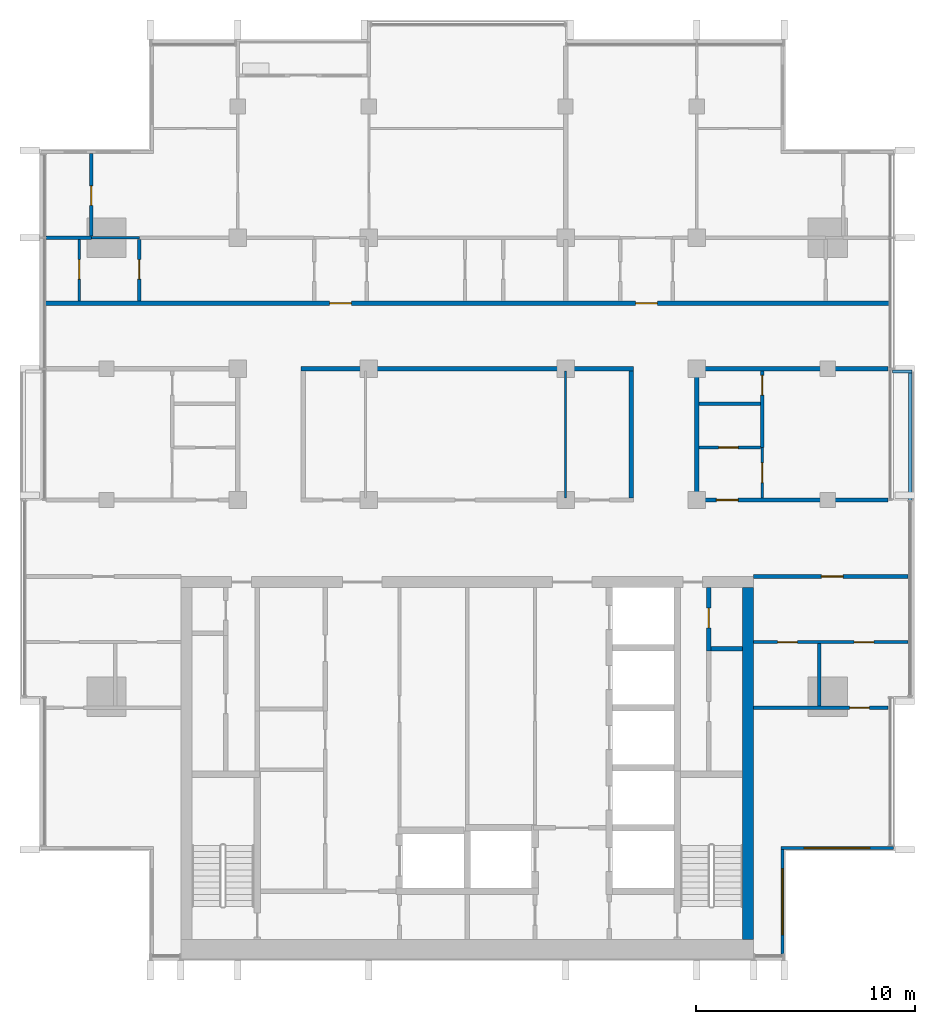
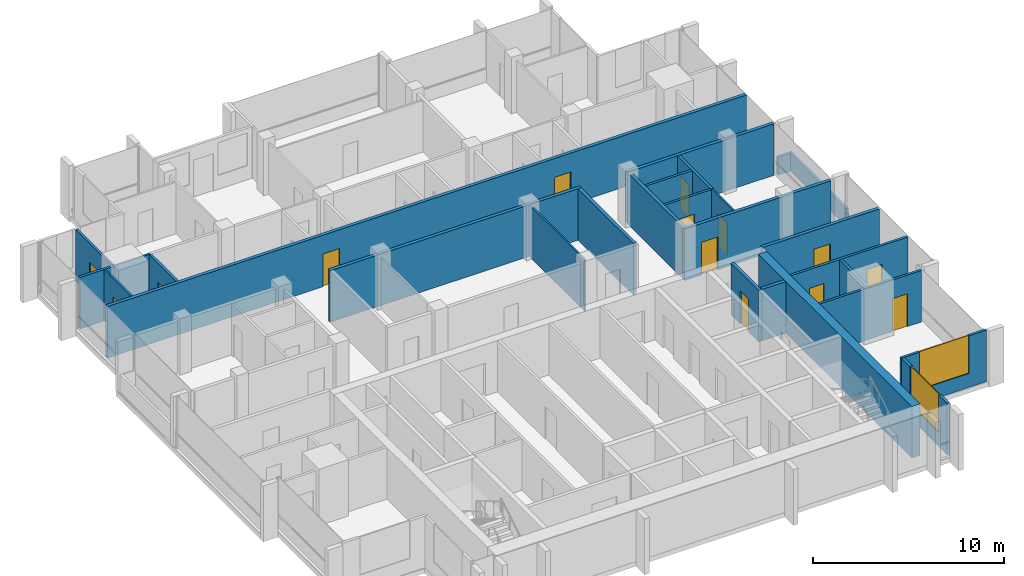
# One storey, part 9 of 16: 27 walls, 14 doors, 2 windows, 16 openings.
"""IFC4 building model written with IfcOpenShell, lengths in metres."""

from ifc_helpers import new_model, si_unit, direction, frame, frame_2d, origin, place, context, subcontext, project, spatial, rectangle, extrude, material, layer, layer_set, type_object, element, fill, save


model = new_model("IFC4")

# Units and contexts
model_context = context("Model", 3, precision=1e-05, world=origin(), true_north=direction((0.0, 1.0)))
body_context = subcontext(model_context, "Body", "Model", "MODEL_VIEW")
ifc_project = project(units=[si_unit("LENGTHUNIT", "METRE"), si_unit("AREAUNIT", "SQUARE_METRE"), si_unit("VOLUMEUNIT", "CUBIC_METRE"), si_unit("PLANEANGLEUNIT", "RADIAN"), si_unit("MASSUNIT", "GRAM", prefix="KILO")], contexts=[model_context])

# Site, building, storey
site_placement = place(None, origin())
site = spatial("IfcSite", under=ifc_project, at=site_placement, CompositionType="ELEMENT")
building_placement = place(site_placement, origin())
building = spatial("IfcBuilding", under=site, at=building_placement, Name="Finial Court Residences", CompositionType="ELEMENT")
storey_placement = place(building_placement, frame((0.0, 0.0, 277.10009765625)))
storey = spatial("IfcBuildingStorey", under=building, at=storey_placement, Name="L70", CompositionType="ELEMENT", Elevation=277.10009765625)

# Wall
ifc_material_1 = material(Name="Concrete C50/60", Category="concrete")
ifc_layer_1 = layer(ifc_material_1, 0.5)
ifc_layer_set_1 = layer_set([ifc_layer_1], Name="Core outer wall 500 Concrete C50/60")
wall_type_1 = type_object("IfcWallType", Name="Core outer wall 500 Concrete C50/60", PredefinedType="SHEAR", material=ifc_layer_set_1)
wall_1_placement = place(storey_placement, frame((12.85009765625, -24.60009765625, 0.0), z_axis=(0.0, 0.0, 1.0), x_axis=(0.0, 1.0, 0.0)))
element("IfcWall", 1, at=wall_1_placement, inside=storey, type_object=wall_type_1, Name="Core outer wall L70-04", PredefinedType="SHEAR", context=body_context, shape_type="SweptSolid", body=[
    extrude(rectangle(XDim=16.10009765625, YDim=0.5, at=frame_2d((8.050048828125, 0.0))), origin(), (0.0, 0.0, 1.0), 3.2998046875),
])

# Wall, opening, door
ifc_material_2 = material(Name="Gypsum board")
ifc_layer_2 = layer(ifc_material_2, 0.02490234375)
ifc_material_3 = material(Name="Acoustic mineral wool in double frame")
ifc_layer_3 = layer(ifc_material_3, 0.14990234375)
ifc_layer_4 = layer(ifc_material_2, 0.02490234375)
ifc_layer_set_2 = layer_set([ifc_layer_2, ifc_layer_3, ifc_layer_4], Name="Corridor wall 200, 1 hour")
wall_type_2 = type_object("IfcWallType", Name="Corridor wall 200, 1 hour", PredefinedType="PARTITIONING", material=ifc_layer_set_2)
wall_2_placement = place(storey_placement, frame((13.10009765625, -8.0, 0.0), z_axis=(0.0, 0.0, 1.0), x_axis=(1.0, 0.0, 0.0)))
wall_2 = element("IfcWall", 2, at=wall_2_placement, inside=storey, type_object=wall_type_2, Name="Partition L70-005", PredefinedType="PARTITIONING", context=body_context, shape_type="SweptSolid", body=[
    extrude(rectangle(XDim=7.0625, YDim=0.199951171875, at=frame_2d((3.53125, 0.0))), origin(), (0.0, 0.0, 1.0), 3.2998046875),
])
opening_1_placement = place(wall_2_placement, frame((3.10009765625, 0.0, 0.0)))
opening_1 = element("IfcOpeningElement", 3, at=opening_1_placement, cuts=wall_2, Name="Opening L70-D008", PredefinedType="OPENING", context=body_context, shape_type="SweptSolid", body=[
    extrude(rectangle(XDim=1.0, YDim=2.10009765625, at=frame_2d((0.5, 1.050048828125))), frame((0.0, 0.10986328125, 0.0), z_axis=(0.0, -1.0, 0.0), x_axis=(1.0, 0.0, 0.0)), (0.0, 0.0, 1.0), 0.219970703125),
])
ifc_material_4 = material(Name="Timber door leaf in hollow metal frame", Category="wood")
door_type_1 = type_object("IfcDoorType", Name="Fire door set 1000 x 2100, 30 minutes", OperationType="SINGLE_SWING_LEFT", PredefinedType="DOOR", material=ifc_material_4)
door_1_placement = place(opening_1_placement, origin())
door_1 = element("IfcDoor", 4, at=door_1_placement, inside=storey, type_object=door_type_1, Name="Door L70-D008", OperationType="SINGLE_SWING_RIGHT", OverallHeight=2.10009765625, OverallWidth=1.0, PredefinedType="DOOR", context=body_context, shape_type="SweptSolid", body=[
    extrude(rectangle(XDim=1.0, YDim=2.10009765625, at=frame_2d((0.5, 1.050048828125))), frame((0.0, 0.02490234375, 0.0), z_axis=(0.0, -1.0, 0.0), x_axis=(1.0, 0.0, 0.0)), (0.0, 0.0, 1.0), 0.050048828125),
])
fill(opening_1, door_1)

wall_3_placement = place(storey_placement, frame((10.39990234375, -4.5, 0.0), z_axis=(0.0, 0.0, 1.0), x_axis=(1.0, 0.0, 0.0)))
wall_3 = element("IfcWall", 5, at=wall_3_placement, inside=storey, type_object=wall_type_2, Name="Partition L70-008", PredefinedType="PARTITIONING", context=body_context, shape_type="SweptSolid", body=[
    extrude(rectangle(XDim=8.862548828125, YDim=0.199951171875, at=frame_2d((4.43115234375, 0.0))), origin(), (0.0, 0.0, 1.0), 3.2998046875),
])
opening_2_placement = place(wall_3_placement, frame((1.0, 0.0, 0.0)))
opening_2 = element("IfcOpeningElement", 6, at=opening_2_placement, cuts=wall_3, Name="Opening L70-D013", PredefinedType="OPENING", context=body_context, shape_type="SweptSolid", body=[
    extrude(rectangle(XDim=1.0, YDim=2.10009765625, at=frame_2d((0.5, 1.050048828125))), frame((0.0, 0.10986328125, 0.0), z_axis=(0.0, -1.0, 0.0), x_axis=(1.0, 0.0, 0.0)), (0.0, 0.0, 1.0), 0.219970703125),
])
door_2_placement = place(opening_2_placement, origin())
door_2 = element("IfcDoor", 7, at=door_2_placement, inside=storey, type_object=door_type_1, Name="Door L70-D013", OperationType="SINGLE_SWING_RIGHT", OverallHeight=2.10009765625, OverallWidth=1.0, PredefinedType="DOOR", context=body_context, shape_type="SweptSolid", body=[
    extrude(rectangle(XDim=1.0, YDim=2.10009765625, at=frame_2d((0.5, 1.050048828125))), frame((0.0, 0.02490234375, 0.0), z_axis=(0.0, -1.0, 0.0), x_axis=(1.0, 0.0, 0.0)), (0.0, 0.0, 1.0), 0.050048828125),
])
fill(opening_2, door_2)

# Walls
wall_4_placement = place(storey_placement, frame((-7.60009765625, 1.5, 0.0), z_axis=(0.0, 0.0, 1.0), x_axis=(1.0, 0.0, 0.0)))
element("IfcWall", 8, at=wall_4_placement, inside=storey, type_object=wall_type_2, Name="Partition L70-014", PredefinedType="PARTITIONING", context=body_context, shape_type="SweptSolid", body=[
    extrude(rectangle(XDim=15.2001953125, YDim=0.199951171875, at=frame_2d((7.60009765625, 0.0))), origin(), (0.0, 0.0, 1.0), 3.2998046875),
])
wall_5_placement = place(storey_placement, frame((10.39990234375, 1.5, 0.0), z_axis=(0.0, 0.0, 1.0), x_axis=(1.0, 0.0, 0.0)))
element("IfcWall", 9, at=wall_5_placement, inside=storey, type_object=wall_type_2, Name="Partition L70-015", PredefinedType="PARTITIONING", context=body_context, shape_type="SweptSolid", body=[
    extrude(rectangle(XDim=8.862548828125, YDim=0.199951171875, at=frame_2d((4.43115234375, 0.0))), origin(), (0.0, 0.0, 1.0), 3.2998046875),
])

# Wall, openings, doors
wall_6_placement = place(storey_placement, frame((-19.35009765625, 4.5, 0.0), z_axis=(0.0, 0.0, 1.0), x_axis=(1.0, 0.0, 0.0)))
wall_6 = element("IfcWall", 10, at=wall_6_placement, inside=storey, type_object=wall_type_2, Name="Partition L70-016", PredefinedType="PARTITIONING", context=body_context, shape_type="SweptSolid", body=[
    extrude(rectangle(XDim=38.7001953125, YDim=0.199951171875, at=frame_2d((19.35009765625, 0.0))), origin(), (0.0, 0.0, 1.0), 3.2998046875),
])
opening_3_placement = place(wall_6_placement, frame((13.050048828125, 0.0, 0.0)))
opening_3 = element("IfcOpeningElement", 11, at=opening_3_placement, cuts=wall_6, Name="Opening L70-D016", PredefinedType="OPENING", context=body_context, shape_type="SweptSolid", body=[
    extrude(rectangle(XDim=1.0, YDim=2.10009765625, at=frame_2d((0.5, 1.050048828125))), frame((0.0, 0.10986328125, 0.0), z_axis=(0.0, -1.0, 0.0), x_axis=(1.0, 0.0, 0.0)), (0.0, 0.0, 1.0), 0.219970703125),
])
opening_4_placement = place(wall_6_placement, frame((27.050048828125, 0.0, 0.0)))
opening_4 = element("IfcOpeningElement", 12, at=opening_4_placement, cuts=wall_6, Name="Opening L70-D017", PredefinedType="OPENING", context=body_context, shape_type="SweptSolid", body=[
    extrude(rectangle(XDim=1.0, YDim=2.10009765625, at=frame_2d((0.5, 1.050048828125))), frame((0.0, 0.10986328125, 0.0), z_axis=(0.0, -1.0, 0.0), x_axis=(1.0, 0.0, 0.0)), (0.0, 0.0, 1.0), 0.219970703125),
])
door_3_placement = place(opening_3_placement, origin())
door_3 = element("IfcDoor", 13, at=door_3_placement, inside=storey, type_object=door_type_1, Name="Door L70-D016", OperationType="SINGLE_SWING_RIGHT", OverallHeight=2.10009765625, OverallWidth=1.0, PredefinedType="DOOR", context=body_context, shape_type="SweptSolid", body=[
    extrude(rectangle(XDim=1.0, YDim=2.10009765625, at=frame_2d((0.5, 1.050048828125))), frame((0.0, 0.02490234375, 0.0), z_axis=(0.0, -1.0, 0.0), x_axis=(1.0, 0.0, 0.0)), (0.0, 0.0, 1.0), 0.050048828125),
])
fill(opening_3, door_3)
door_4_placement = place(opening_4_placement, origin())
door_4 = element("IfcDoor", 14, at=door_4_placement, inside=storey, type_object=door_type_1, Name="Door L70-D017", OperationType="SINGLE_SWING_LEFT", OverallHeight=2.10009765625, OverallWidth=1.0, PredefinedType="DOOR", context=body_context, shape_type="SweptSolid", body=[
    extrude(rectangle(XDim=1.0, YDim=2.10009765625, at=frame_2d((0.5, 1.050048828125))), frame((0.0, 0.02490234375, 0.0), z_axis=(0.0, -1.0, 0.0), x_axis=(1.0, 0.0, 0.0)), (0.0, 0.0, 1.0), 0.050048828125),
])
fill(opening_4, door_4)

# Walls
for number, where, z_axis, x_axis, name in (
    (15, (7.5, -4.39990234375, 0.0), (0.0, 0.0, 1.0), (0.0, 1.0, 0.0), "Partition L70-048"),
    (16, (10.5, -4.39990234375, 0.0), (0.0, 0.0, 1.0), (0.0, 1.0, 0.0), "Partition L70-050"),
):
    element("IfcWall", number, at=place(storey_placement, frame(where, z_axis=z_axis, x_axis=x_axis)), inside=storey, type_object=wall_type_2, Name=name, PredefinedType="PARTITIONING", context=body_context, shape_type="SweptSolid", body=[
        extrude(rectangle(XDim=5.7998046875, YDim=0.199951171875, at=frame_2d((2.89990234375, 0.0))), origin(), (0.0, 0.0, 1.0), 3.2998046875),
    ])
ifc_layer_5 = layer(ifc_material_2, 0.012451171875)
ifc_material_5 = material(Name="Mineral wool in light-gauge frame")
ifc_layer_6 = layer(ifc_material_5, 0.074951171875)
ifc_layer_7 = layer(ifc_material_2, 0.012451171875)
ifc_layer_set_3 = layer_set([ifc_layer_5, ifc_layer_6, ifc_layer_7], Name="Gypsum board partition 100")
wall_type_3 = type_object("IfcWallType", Name="Gypsum board partition 100", PredefinedType="PARTITIONING", material=ifc_layer_set_3)
wall_7_placement = place(storey_placement, frame((-17.199951171875, 7.5, 0.0), z_axis=(0.0, 0.0, 1.0), x_axis=(1.0, 0.0, 0.0)))
element("IfcWall", 17, at=wall_7_placement, inside=storey, type_object=wall_type_3, Name="Partition L70-017", PredefinedType="PARTITIONING", context=body_context, shape_type="SweptSolid", body=[
    extrude(rectangle(XDim=2.199951171875, YDim=0.10009765625, at=frame_2d((1.10009765625, 0.0))), origin(), (0.0, 0.0, 1.0), 3.2998046875),
])

# Wall, opening, door
wall_8_placement = place(storey_placement, frame((-17.75, 4.60009765625, 0.0), z_axis=(0.0, 0.0, 1.0), x_axis=(0.0, 1.0, 0.0)))
wall_8 = element("IfcWall", 18, at=wall_8_placement, inside=storey, type_object=wall_type_3, Name="Partition L70-029", PredefinedType="PARTITIONING", context=body_context, shape_type="SweptSolid", body=[
    extrude(rectangle(XDim=2.824951171875, YDim=0.10009765625, at=frame_2d((1.41259765625, 0.0))), origin(), (0.0, 0.0, 1.0), 3.2998046875),
])
opening_5_placement = place(wall_8_placement, frame((1.0, 0.0, 0.0)))
opening_5 = element("IfcOpeningElement", 19, at=opening_5_placement, cuts=wall_8, Name="Opening L70-D023", PredefinedType="OPENING", context=body_context, shape_type="SweptSolid", body=[
    extrude(rectangle(XDim=0.89990234375, YDim=2.10009765625, at=frame_2d((0.449951171875, 1.050048828125))), frame((0.0, 0.06005859375, 0.0), z_axis=(0.0, -1.0, 0.0), x_axis=(1.0, 0.0, 0.0)), (0.0, 0.0, 1.0), 0.1201171875),
])
ifc_material_6 = material(Name="Timber door leaf in timber frame", Category="wood")
door_type_2 = type_object("IfcDoorType", Name="Door set 900 x 2100", OperationType="SINGLE_SWING_LEFT", PredefinedType="DOOR", material=ifc_material_6)
door_5_placement = place(opening_5_placement, origin())
door_5 = element("IfcDoor", 20, at=door_5_placement, inside=storey, type_object=door_type_2, Name="Door L70-D023", OperationType="SINGLE_SWING_RIGHT", OverallHeight=2.10009765625, OverallWidth=0.89990234375, PredefinedType="DOOR", context=body_context, shape_type="SweptSolid", body=[
    extrude(rectangle(XDim=0.89990234375, YDim=2.10009765625, at=frame_2d((0.449951171875, 1.050048828125))), frame((0.0, 0.02490234375, 0.0), z_axis=(0.0, -1.0, 0.0), x_axis=(1.0, 0.0, 0.0)), (0.0, 0.0, 1.0), 0.050048828125),
])
fill(opening_5, door_5)

# Wall
wall_9_placement = place(storey_placement, frame((4.5, -4.39990234375, 0.0), z_axis=(0.0, 0.0, 1.0), x_axis=(0.0, 1.0, 0.0)))
element("IfcWall", 21, at=wall_9_placement, inside=storey, type_object=wall_type_3, Name="Partition L70-044", PredefinedType="PARTITIONING", context=body_context, shape_type="SweptSolid", body=[
    extrude(rectangle(XDim=5.7998046875, YDim=0.10009765625, at=frame_2d((2.89990234375, 0.0))), origin(), (0.0, 0.0, 1.0), 3.2998046875),
])

# Wall, opening, door
wall_10_placement = place(storey_placement, frame((13.5, -4.39990234375, 0.0), z_axis=(0.0, 0.0, 1.0), x_axis=(0.0, 1.0, 0.0)))
wall_10 = element("IfcWall", 22, at=wall_10_placement, inside=storey, type_object=wall_type_3, Name="Partition L70-052", PredefinedType="PARTITIONING", context=body_context, shape_type="SweptSolid", body=[
    extrude(rectangle(XDim=2.2998046875, YDim=0.10009765625, at=frame_2d((1.14990234375, 0.0))), origin(), (0.0, 0.0, 1.0), 3.2998046875),
])
opening_6_placement = place(wall_10_placement, frame((0.699951171875, 0.0, 0.0)))
opening_6 = element("IfcOpeningElement", 23, at=opening_6_placement, cuts=wall_10, Name="Opening L70-D037", PredefinedType="OPENING", context=body_context, shape_type="SweptSolid", body=[
    extrude(rectangle(XDim=0.89990234375, YDim=2.10009765625, at=frame_2d((0.449951171875, 1.050048828125))), frame((0.0, 0.06005859375, 0.0), z_axis=(0.0, -1.0, 0.0), x_axis=(1.0, 0.0, 0.0)), (0.0, 0.0, 1.0), 0.1201171875),
])
door_6_placement = place(opening_6_placement, origin())
door_6 = element("IfcDoor", 24, at=door_6_placement, inside=storey, type_object=door_type_2, Name="Door L70-D037", OperationType="SINGLE_SWING_LEFT", OverallHeight=2.10009765625, OverallWidth=0.89990234375, PredefinedType="DOOR", context=body_context, shape_type="SweptSolid", body=[
    extrude(rectangle(XDim=0.89990234375, YDim=2.10009765625, at=frame_2d((0.449951171875, 1.050048828125))), frame((0.0, 0.02490234375, 0.0), z_axis=(0.0, -1.0, 0.0), x_axis=(1.0, 0.0, 0.0)), (0.0, 0.0, 1.0), 0.050048828125),
])
fill(opening_6, door_6)

ifc_material_7 = material(Name="Moisture-resistant gypsum board")
ifc_layer_8 = layer(ifc_material_7, 0.012451171875)
ifc_layer_9 = layer(ifc_material_5, 0.125)
ifc_layer_10 = layer(ifc_material_7, 0.012451171875)
ifc_layer_set_4 = layer_set([ifc_layer_8, ifc_layer_9, ifc_layer_10], Name="Gypsum board wet-area partition 150")
wall_type_4 = type_object("IfcWallType", Name="Gypsum board wet-area partition 150", PredefinedType="PARTITIONING", material=ifc_layer_set_4)
wall_11_placement = place(storey_placement, frame((13.10009765625, -14.0, 0.0), z_axis=(0.0, 0.0, 1.0), x_axis=(1.0, 0.0, 0.0)))
wall_11 = element("IfcWall", 25, at=wall_11_placement, inside=storey, type_object=wall_type_4, Name="Partition L70-001", PredefinedType="PARTITIONING", context=body_context, shape_type="SweptSolid", body=[
    extrude(rectangle(XDim=6.162353515625, YDim=0.14990234375, at=frame_2d((3.0810546875, 0.0))), origin(), (0.0, 0.0, 1.0), 3.2998046875),
])
opening_7_placement = place(wall_11_placement, frame((4.39990234375, 0.0, 0.0)))
opening_7 = element("IfcOpeningElement", 26, at=opening_7_placement, cuts=wall_11, Name="Opening L70-D002", PredefinedType="OPENING", context=body_context, shape_type="SweptSolid", body=[
    extrude(rectangle(XDim=0.89990234375, YDim=2.10009765625, at=frame_2d((0.449951171875, 1.050048828125))), frame((0.0, 0.0849609375, 0.0), z_axis=(0.0, -1.0, 0.0), x_axis=(1.0, 0.0, 0.0)), (0.0, 0.0, 1.0), 0.169921875),
])
door_7_placement = place(opening_7_placement, origin())
door_7 = element("IfcDoor", 27, at=door_7_placement, inside=storey, type_object=door_type_2, Name="Door L70-D002", OperationType="SINGLE_SWING_RIGHT", OverallHeight=2.10009765625, OverallWidth=0.89990234375, PredefinedType="DOOR", context=body_context, shape_type="SweptSolid", body=[
    extrude(rectangle(XDim=0.89990234375, YDim=2.10009765625, at=frame_2d((0.449951171875, 1.050048828125))), frame((0.0, 0.02490234375, 0.0), z_axis=(0.0, -1.0, 0.0), x_axis=(1.0, 0.0, 0.0)), (0.0, 0.0, 1.0), 0.050048828125),
])
fill(opening_7, door_7)

# Wall, openings, doors
wall_12_placement = place(storey_placement, frame((13.10009765625, -11.0, 0.0), z_axis=(0.0, 0.0, 1.0), x_axis=(1.0, 0.0, 0.0)))
wall_12 = element("IfcWall", 28, at=wall_12_placement, inside=storey, type_object=wall_type_4, Name="Partition L70-003", PredefinedType="PARTITIONING", context=body_context, shape_type="SweptSolid", body=[
    extrude(rectangle(XDim=7.0625, YDim=0.14990234375, at=frame_2d((3.53125, 0.0))), origin(), (0.0, 0.0, 1.0), 3.2998046875),
])
opening_8_placement = place(wall_12_placement, frame((1.10009765625, 0.0, 0.0)))
opening_8 = element("IfcOpeningElement", 29, at=opening_8_placement, cuts=wall_12, Name="Opening L70-D005", PredefinedType="OPENING", context=body_context, shape_type="SweptSolid", body=[
    extrude(rectangle(XDim=0.89990234375, YDim=2.10009765625, at=frame_2d((0.449951171875, 1.050048828125))), frame((0.0, 0.0849609375, 0.0), z_axis=(0.0, -1.0, 0.0), x_axis=(1.0, 0.0, 0.0)), (0.0, 0.0, 1.0), 0.169921875),
])
opening_9_placement = place(wall_12_placement, frame((4.60009765625, 0.0, 0.0)))
opening_9 = element("IfcOpeningElement", 30, at=opening_9_placement, cuts=wall_12, Name="Opening L70-D006", PredefinedType="OPENING", context=body_context, shape_type="SweptSolid", body=[
    extrude(rectangle(XDim=0.89990234375, YDim=2.10009765625, at=frame_2d((0.449951171875, 1.050048828125))), frame((0.0, 0.0849609375, 0.0), z_axis=(0.0, -1.0, 0.0), x_axis=(1.0, 0.0, 0.0)), (0.0, 0.0, 1.0), 0.169921875),
])
door_8_placement = place(opening_8_placement, origin())
door_8 = element("IfcDoor", 31, at=door_8_placement, inside=storey, type_object=door_type_2, Name="Door L70-D005", OperationType="SINGLE_SWING_LEFT", OverallHeight=2.10009765625, OverallWidth=0.89990234375, PredefinedType="DOOR", context=body_context, shape_type="SweptSolid", body=[
    extrude(rectangle(XDim=0.89990234375, YDim=2.10009765625, at=frame_2d((0.449951171875, 1.050048828125))), frame((0.0, 0.02490234375, 0.0), z_axis=(0.0, -1.0, 0.0), x_axis=(1.0, 0.0, 0.0)), (0.0, 0.0, 1.0), 0.050048828125),
])
fill(opening_8, door_8)
door_9_placement = place(opening_9_placement, origin())
door_9 = element("IfcDoor", 32, at=door_9_placement, inside=storey, type_object=door_type_2, Name="Door L70-D006", OperationType="SINGLE_SWING_RIGHT", OverallHeight=2.10009765625, OverallWidth=0.89990234375, PredefinedType="DOOR", context=body_context, shape_type="SweptSolid", body=[
    extrude(rectangle(XDim=0.89990234375, YDim=2.10009765625, at=frame_2d((0.449951171875, 1.050048828125))), frame((0.0, 0.02490234375, 0.0), z_axis=(0.0, -1.0, 0.0), x_axis=(1.0, 0.0, 0.0)), (0.0, 0.0, 1.0), 0.050048828125),
])
fill(opening_9, door_9)

# Wall, opening, door
wall_13_placement = place(storey_placement, frame((10.60009765625, -2.10009765625, 0.0), z_axis=(0.0, 0.0, 1.0), x_axis=(1.0, 0.0, 0.0)))
wall_13 = element("IfcWall", 33, at=wall_13_placement, inside=storey, type_object=wall_type_4, Name="Partition L70-010", PredefinedType="PARTITIONING", context=body_context, shape_type="SweptSolid", body=[
    extrude(rectangle(XDim=2.824951171875, YDim=0.14990234375, at=frame_2d((1.41259765625, 0.0))), origin(), (0.0, 0.0, 1.0), 3.2998046875),
])
opening_10_placement = place(wall_13_placement, frame((0.89990234375, 0.0, 0.0)))
opening_10 = element("IfcOpeningElement", 34, at=opening_10_placement, cuts=wall_13, Name="Opening L70-D015", PredefinedType="OPENING", context=body_context, shape_type="SweptSolid", body=[
    extrude(rectangle(XDim=0.89990234375, YDim=2.10009765625, at=frame_2d((0.449951171875, 1.050048828125))), frame((0.0, 0.0849609375, 0.0), z_axis=(0.0, -1.0, 0.0), x_axis=(1.0, 0.0, 0.0)), (0.0, 0.0, 1.0), 0.169921875),
])
door_10_placement = place(opening_10_placement, origin())
door_10 = element("IfcDoor", 35, at=door_10_placement, inside=storey, type_object=door_type_2, Name="Door L70-D015", OperationType="SINGLE_SWING_RIGHT", OverallHeight=2.10009765625, OverallWidth=0.89990234375, PredefinedType="DOOR", context=body_context, shape_type="SweptSolid", body=[
    extrude(rectangle(XDim=0.89990234375, YDim=2.10009765625, at=frame_2d((0.449951171875, 1.050048828125))), frame((0.0, 0.02490234375, 0.0), z_axis=(0.0, -1.0, 0.0), x_axis=(1.0, 0.0, 0.0)), (0.0, 0.0, 1.0), 0.050048828125),
])
fill(opening_10, door_10)

# Walls
wall_14_placement = place(storey_placement, frame((10.60009765625, -0.10009765625, 0.0), z_axis=(0.0, 0.0, 1.0), x_axis=(1.0, 0.0, 0.0)))
element("IfcWall", 36, at=wall_14_placement, inside=storey, type_object=wall_type_4, Name="Partition L70-012", PredefinedType="PARTITIONING", context=body_context, shape_type="SweptSolid", body=[
    extrude(rectangle(XDim=2.824951171875, YDim=0.14990234375, at=frame_2d((1.41259765625, 0.0))), origin(), (0.0, 0.0, 1.0), 3.2998046875),
])
wall_15_placement = place(storey_placement, frame((-19.262451171875, 7.5, 0.0), z_axis=(0.0, 0.0, 1.0), x_axis=(1.0, 0.0, 0.0)))
element("IfcWall", 37, at=wall_15_placement, inside=storey, type_object=wall_type_4, Name="Partition L70-021", PredefinedType="PARTITIONING", context=body_context, shape_type="SweptSolid", body=[
    extrude(rectangle(XDim=2.0625, YDim=0.14990234375, at=frame_2d((1.03125, 0.0))), origin(), (0.0, 0.0, 1.0), 3.2998046875),
])

# Wall, opening, door
wall_16_placement = place(storey_placement, frame((-17.199951171875, 7.574951171875, 0.0), z_axis=(0.0, 0.0, 1.0), x_axis=(0.0, 1.0, 0.0)))
wall_16 = element("IfcWall", 38, at=wall_16_placement, inside=storey, type_object=wall_type_4, Name="Partition L70-030", PredefinedType="PARTITIONING", context=body_context, shape_type="SweptSolid", body=[
    extrude(rectangle(XDim=3.775146484375, YDim=0.14990234375, at=frame_2d((1.8876953125, 0.0))), origin(), (0.0, 0.0, 1.0), 3.2998046875),
])
opening_11_placement = place(wall_16_placement, frame((1.39990234375, 0.0, 0.0)))
opening_11 = element("IfcOpeningElement", 39, at=opening_11_placement, cuts=wall_16, Name="Opening L70-D024", PredefinedType="OPENING", context=body_context, shape_type="SweptSolid", body=[
    extrude(rectangle(XDim=0.89990234375, YDim=2.10009765625, at=frame_2d((0.449951171875, 1.050048828125))), frame((0.0, 0.0849609375, 0.0), z_axis=(0.0, -1.0, 0.0), x_axis=(1.0, 0.0, 0.0)), (0.0, 0.0, 1.0), 0.169921875),
])
door_11_placement = place(opening_11_placement, origin())
door_11 = element("IfcDoor", 40, at=door_11_placement, inside=storey, type_object=door_type_2, Name="Door L70-D024", OperationType="SINGLE_SWING_RIGHT", OverallHeight=2.10009765625, OverallWidth=0.89990234375, PredefinedType="DOOR", context=body_context, shape_type="SweptSolid", body=[
    extrude(rectangle(XDim=0.89990234375, YDim=2.10009765625, at=frame_2d((0.449951171875, 1.050048828125))), frame((0.0, 0.02490234375, 0.0), z_axis=(0.0, -1.0, 0.0), x_axis=(1.0, 0.0, 0.0)), (0.0, 0.0, 1.0), 0.050048828125),
])
fill(opening_11, door_11)

wall_17_placement = place(storey_placement, frame((-15.0, 4.60009765625, 0.0), z_axis=(0.0, 0.0, 1.0), x_axis=(0.0, 1.0, 0.0)))
wall_17 = element("IfcWall", 41, at=wall_17_placement, inside=storey, type_object=wall_type_4, Name="Partition L70-032", PredefinedType="PARTITIONING", context=body_context, shape_type="SweptSolid", body=[
    extrude(rectangle(XDim=2.824951171875, YDim=0.14990234375, at=frame_2d((1.41259765625, 0.0))), origin(), (0.0, 0.0, 1.0), 3.2998046875),
])
opening_12_placement = place(wall_17_placement, frame((1.0, 0.0, 0.0)))
opening_12 = element("IfcOpeningElement", 42, at=opening_12_placement, cuts=wall_17, Name="Opening L70-D025", PredefinedType="OPENING", context=body_context, shape_type="SweptSolid", body=[
    extrude(rectangle(XDim=0.89990234375, YDim=2.10009765625, at=frame_2d((0.449951171875, 1.050048828125))), frame((0.0, 0.0849609375, 0.0), z_axis=(0.0, -1.0, 0.0), x_axis=(1.0, 0.0, 0.0)), (0.0, 0.0, 1.0), 0.169921875),
])
door_12_placement = place(opening_12_placement, origin())
door_12 = element("IfcDoor", 43, at=door_12_placement, inside=storey, type_object=door_type_2, Name="Door L70-D025", OperationType="SINGLE_SWING_RIGHT", OverallHeight=2.10009765625, OverallWidth=0.89990234375, PredefinedType="DOOR", context=body_context, shape_type="SweptSolid", body=[
    extrude(rectangle(XDim=0.89990234375, YDim=2.10009765625, at=frame_2d((0.449951171875, 1.050048828125))), frame((0.0, 0.02490234375, 0.0), z_axis=(0.0, -1.0, 0.0), x_axis=(1.0, 0.0, 0.0)), (0.0, 0.0, 1.0), 0.050048828125),
])
fill(opening_12, door_12)

wall_18_placement = place(storey_placement, frame((13.5, -2.10009765625, 0.0), z_axis=(0.0, 0.0, 1.0), x_axis=(0.0, 1.0, 0.0)))
wall_18 = element("IfcWall", 44, at=wall_18_placement, inside=storey, type_object=wall_type_4, Name="Partition L70-053", PredefinedType="PARTITIONING", context=body_context, shape_type="SweptSolid", body=[
    extrude(rectangle(XDim=3.5, YDim=0.14990234375, at=frame_2d((1.75, 0.0))), origin(), (0.0, 0.0, 1.0), 3.2998046875),
])
opening_13_placement = place(wall_18_placement, frame((2.39990234375, 0.0, 0.0)))
opening_13 = element("IfcOpeningElement", 45, at=opening_13_placement, cuts=wall_18, Name="Opening L70-D038", PredefinedType="OPENING", context=body_context, shape_type="SweptSolid", body=[
    extrude(rectangle(XDim=0.89990234375, YDim=2.10009765625, at=frame_2d((0.449951171875, 1.050048828125))), frame((0.0, 0.0849609375, 0.0), z_axis=(0.0, -1.0, 0.0), x_axis=(1.0, 0.0, 0.0)), (0.0, 0.0, 1.0), 0.169921875),
])
door_13_placement = place(opening_13_placement, origin())
door_13 = element("IfcDoor", 46, at=door_13_placement, inside=storey, type_object=door_type_2, Name="Door L70-D038", OperationType="SINGLE_SWING_LEFT", OverallHeight=2.10009765625, OverallWidth=0.89990234375, PredefinedType="DOOR", context=body_context, shape_type="SweptSolid", body=[
    extrude(rectangle(XDim=0.89990234375, YDim=2.10009765625, at=frame_2d((0.449951171875, 1.050048828125))), frame((0.0, 0.02490234375, 0.0), z_axis=(0.0, -1.0, 0.0), x_axis=(1.0, 0.0, 0.0)), (0.0, 0.0, 1.0), 0.050048828125),
])
fill(opening_13, door_13)

# Walls
wall_19_placement = place(storey_placement, frame((16.10009765625, -13.925048828125, 0.0), z_axis=(0.0, 0.0, 1.0), x_axis=(0.0, 1.0, 0.0)))
element("IfcWall", 47, at=wall_19_placement, inside=storey, type_object=wall_type_4, Name="Partition L70-054", PredefinedType="PARTITIONING", context=body_context, shape_type="SweptSolid", body=[
    extrude(rectangle(XDim=2.85009765625, YDim=0.14990234375, at=frame_2d((1.425048828125, 0.0))), origin(), (0.0, 0.0, 1.0), 3.2998046875),
])
ifc_material_8 = material(Name="Concrete C35/45", Category="concrete")
ifc_layer_11 = layer(ifc_material_8, 0.14990234375)
ifc_layer_set_5 = layer_set([ifc_layer_11], Name="Ledge parapet, Concrete C35/45 150")
wall_type_5 = type_object("IfcWallType", Name="Ledge parapet, Concrete C35/45 150", PredefinedType="PARAPET", material=ifc_layer_set_5)
wall_20_placement = place(storey_placement, frame((19.447509765625, 1.375, 0.0), z_axis=(0.0, 0.0, 1.0), x_axis=(1.0, 0.0, 0.0)))
element("IfcWall", 48, at=wall_20_placement, inside=storey, type_object=wall_type_5, Name="E-L70-LED2-P1", PredefinedType="PARAPET", context=body_context, shape_type="SweptSolid", body=[
    extrude(rectangle(XDim=0.902587890625, YDim=0.14990234375, at=frame_2d((0.451171875, 0.0))), origin(), (0.0, 0.0, 1.0), 1.14990234375),
])
wall_21_placement = place(storey_placement, frame((20.27490234375, 1.300048828125, 0.0), z_axis=(0.0, 0.0, 1.0), x_axis=(0.0, -1.0, 0.0)))
element("IfcWall", 49, at=wall_21_placement, inside=storey, type_object=wall_type_5, Name="E-L70-LED2-P2", PredefinedType="PARAPET", context=body_context, shape_type="SweptSolid", body=[
    extrude(rectangle(XDim=5.8525390625, YDim=0.14990234375, at=frame_2d((2.92626953125, 0.0))), origin(), (0.0, 0.0, 1.0), 1.14990234375),
])

# Wall, opening, window
ifc_material_9 = material(Name="Natural limestone", Category="masonry")
ifc_layer_12 = layer(ifc_material_9, 0.14990234375)
ifc_layer_set_6 = layer_set([ifc_layer_12], Name="Limestone clad wall 150")
wall_type_6 = type_object("IfcWallType", Name="Limestone clad wall 150", PredefinedType="SOLIDWALL", material=ifc_layer_set_6)
wall_22_placement = place(storey_placement, frame((14.425048828125, -20.5, 0.0), z_axis=(0.0, 0.0, 1.0), x_axis=(0.0, -1.0, 0.0)))
wall_22 = element("IfcWall", 50, at=wall_22_placement, inside=storey, type_object=wall_type_6, Name="E-L70-NWE14", PredefinedType="SOLIDWALL", context=body_context, shape_type="SweptSolid", body=[
    extrude(rectangle(XDim=4.762451171875, YDim=0.14990234375, at=frame_2d((2.38134765625, 0.0))), origin(), (0.0, 0.0, 1.0), 3.2998046875),
])
opening_14_placement = place(wall_22_placement, frame((0.88134765625, 0.0, 0.89990234375)))
opening_14 = element("IfcOpeningElement", 51, at=opening_14_placement, cuts=wall_22, Name="Opening WE70-03", PredefinedType="OPENING", context=body_context, shape_type="SweptSolid", body=[
    extrude(rectangle(XDim=3.0, YDim=2.39990234375, at=frame_2d((1.5, 1.199951171875))), frame((0.0, 0.0849609375, 0.0), z_axis=(0.0, -1.0, 0.0), x_axis=(1.0, 0.0, 0.0)), (0.0, 0.0, 1.0), 0.169921875),
])
ifc_material_10 = material(Name="Clear low-e glass", Category="glass")
window_type = type_object("IfcWindowType", Name="Corner window 3000 x 2400", PartitioningType="SINGLE_PANEL", PredefinedType="WINDOW", material=ifc_material_10)
window_1_placement = place(opening_14_placement, origin())
window_1 = element("IfcWindow", 52, at=window_1_placement, inside=storey, type_object=window_type, Name="E-L70-NWE14-W1", OverallHeight=2.39990234375, OverallWidth=3.0, PartitioningType="SINGLE_PANEL", PredefinedType="WINDOW", context=body_context, shape_type="SweptSolid", body=[
    extrude(rectangle(XDim=3.0, YDim=2.39990234375, at=frame_2d((1.5, 1.199951171875))), frame((0.0, 0.030029296875, 0.0), z_axis=(0.0, -1.0, 0.0), x_axis=(1.0, 0.0, 0.0)), (0.0, 0.0, 1.0), 0.06005859375),
])
fill(opening_14, window_1)

wall_23_placement = place(storey_placement, frame((19.5, -20.425048828125, 0.0), z_axis=(0.0, 0.0, 1.0), x_axis=(-1.0, 0.0, 0.0)))
wall_23 = element("IfcWall", 53, at=wall_23_placement, inside=storey, type_object=wall_type_6, Name="E-L70-NWS15", PredefinedType="SOLIDWALL", context=body_context, shape_type="SweptSolid", body=[
    extrude(rectangle(XDim=5.14990234375, YDim=0.14990234375, at=frame_2d((2.574951171875, 0.0))), origin(), (0.0, 0.0, 1.0), 3.2998046875),
])
opening_15_placement = place(wall_23_placement, frame((1.074951171875, 0.0, 0.89990234375)))
opening_15 = element("IfcOpeningElement", 54, at=opening_15_placement, cuts=wall_23, Name="Opening WE70-04", PredefinedType="OPENING", context=body_context, shape_type="SweptSolid", body=[
    extrude(rectangle(XDim=3.0, YDim=2.39990234375, at=frame_2d((1.5, 1.199951171875))), frame((0.0, 0.0849609375, 0.0), z_axis=(0.0, -1.0, 0.0), x_axis=(1.0, 0.0, 0.0)), (0.0, 0.0, 1.0), 0.169921875),
])
window_2_placement = place(opening_15_placement, origin())
window_2 = element("IfcWindow", 55, at=window_2_placement, inside=storey, type_object=window_type, Name="E-L70-NWS15-W1", OverallHeight=2.39990234375, OverallWidth=3.0, PartitioningType="SINGLE_PANEL", PredefinedType="WINDOW", context=body_context, shape_type="SweptSolid", body=[
    extrude(rectangle(XDim=3.0, YDim=2.39990234375, at=frame_2d((1.5, 1.199951171875))), frame((0.0, 0.030029296875, 0.0), z_axis=(0.0, -1.0, 0.0), x_axis=(1.0, 0.0, 0.0)), (0.0, 0.0, 1.0), 0.06005859375),
])
fill(opening_15, window_2)

# Wall
ifc_material_11 = material(Name="Fire-rated gypsum board partition")
ifc_layer_13 = layer(ifc_material_11, 0.199951171875)
ifc_layer_set_7 = layer_set([ifc_layer_13], Name="Riser room wall 200 EI 120")
wall_type_7 = type_object("IfcWallType", Name="Riser room wall 200 EI 120", PredefinedType="PARTITIONING", material=ifc_layer_set_7)
wall_24_placement = place(storey_placement, frame((11.14990234375, -11.300048828125, 0.0), z_axis=(0.0, 0.0, 1.0), x_axis=(1.0, 0.0, 0.0)))
element("IfcWall", 56, at=wall_24_placement, inside=storey, type_object=wall_type_7, Name="Core partition L70-14", PredefinedType="PARTITIONING", context=body_context, shape_type="SweptSolid", body=[
    extrude(rectangle(XDim=1.4501953125, YDim=0.199951171875, at=frame_2d((0.72509765625, 0.0))), origin(), (0.0, 0.0, 1.0), 3.2998046875),
])

# Wall, opening, door
wall_25_placement = place(storey_placement, frame((11.050048828125, -8.5, 0.0), z_axis=(0.0, 0.0, 1.0), x_axis=(0.0, -1.0, 0.0)))
wall_25 = element("IfcWall", 57, at=wall_25_placement, inside=storey, type_object=wall_type_7, Name="Core partition L70-38", PredefinedType="PARTITIONING", context=body_context, shape_type="SweptSolid", body=[
    extrude(rectangle(XDim=2.89990234375, YDim=0.199951171875, at=frame_2d((1.449951171875, 0.0))), origin(), (0.0, 0.0, 1.0), 3.2998046875),
])
opening_16_placement = place(wall_25_placement, frame((0.949951171875, 0.0, 0.0)))
opening_16 = element("IfcOpeningElement", 58, at=opening_16_placement, cuts=wall_25, Name="Opening L70-C08", PredefinedType="OPENING", context=body_context, shape_type="SweptSolid", body=[
    extrude(rectangle(XDim=0.89990234375, YDim=2.10009765625, at=frame_2d((0.449951171875, 1.050048828125))), frame((0.0, 0.10986328125, 0.0), z_axis=(0.0, -1.0, 0.0), x_axis=(1.0, 0.0, 0.0)), (0.0, 0.0, 1.0), 0.219970703125),
])
ifc_material_12 = material(Name="Steel fire door", Category="steel")
door_type_3 = type_object("IfcDoorType", Name="Riser room door 900 x 2100 EI 90", OperationType="NOTDEFINED", PredefinedType="DOOR", material=ifc_material_12)
door_14_placement = place(opening_16_placement, origin())
door_14 = element("IfcDoor", 59, at=door_14_placement, inside=storey, type_object=door_type_3, Name="Riser room door L70-C08", OperationType="SINGLE_SWING_RIGHT", OverallHeight=2.10009765625, OverallWidth=0.89990234375, PredefinedType="DOOR", context=body_context, shape_type="SweptSolid", body=[
    extrude(rectangle(XDim=0.89990234375, YDim=2.10009765625, at=frame_2d((0.449951171875, 1.050048828125))), frame((0.0, 0.02490234375, 0.0), z_axis=(0.0, -1.0, 0.0), x_axis=(1.0, 0.0, 0.0)), (0.0, 0.0, 1.0), 0.050048828125),
])
fill(opening_16, door_14)

save(model, "model.ifc")
